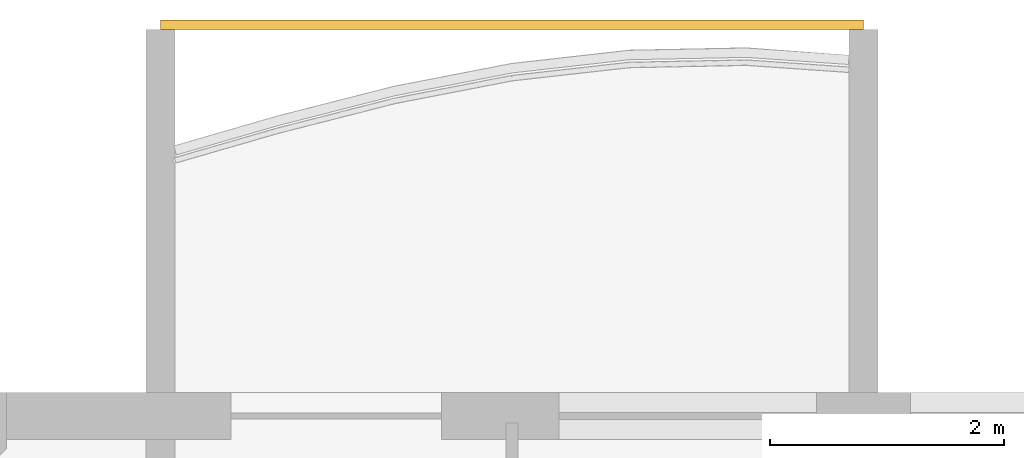
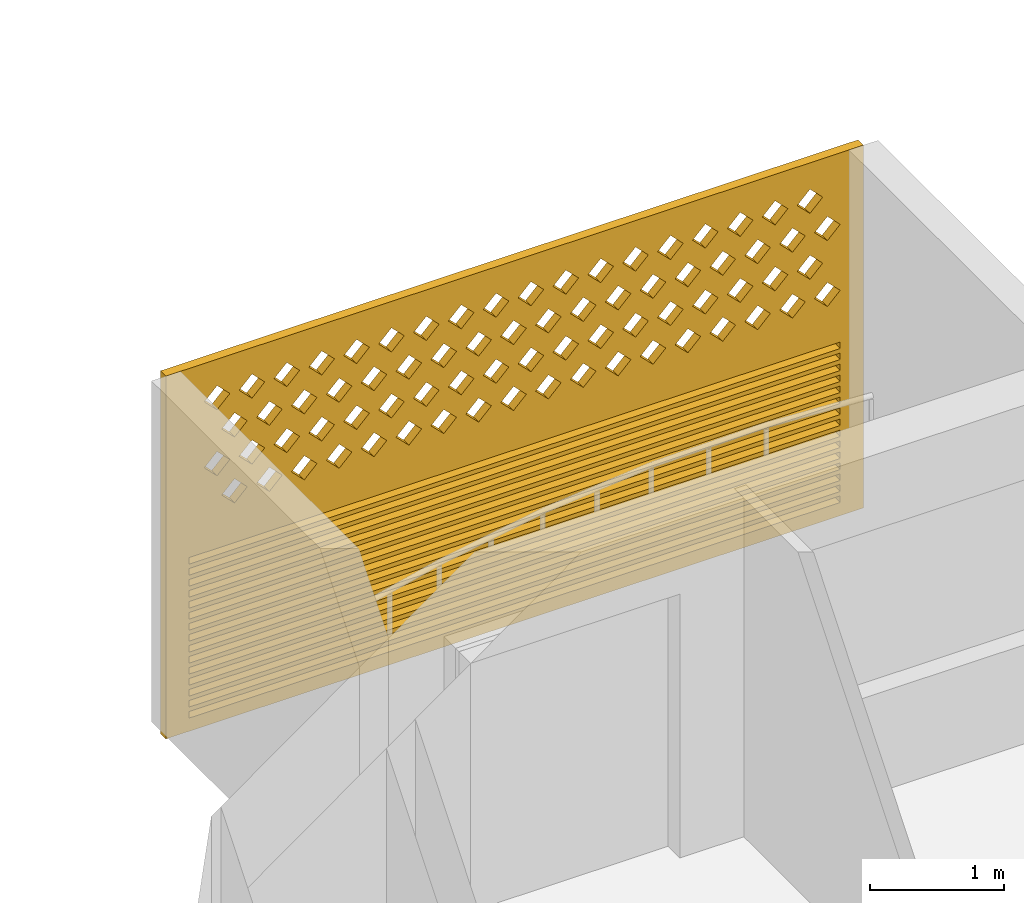
# One storey, part 17 of 29: 1 covering.
"""IFC4 building model written with IfcOpenShell, lengths in metres."""

from ifc_helpers import new_model, si_unit, direction, frame, origin, place, context, subcontext, project, spatial, polyline, outline, extrude, source, transform, mapped, material, material_profile, profile_set, type_object, element, save


model = new_model("IFC4")

# Units and contexts
model_context = context("Model", 3, precision=1e-05, world=origin(), true_north=direction((0.0, 1.0)))
body_context = subcontext(model_context, "Body", "Model", "MODEL_VIEW")
ifc_project = project(units=[si_unit("LENGTHUNIT", "METRE"), si_unit("AREAUNIT", "SQUARE_METRE"), si_unit("VOLUMEUNIT", "CUBIC_METRE"), si_unit("PLANEANGLEUNIT", "RADIAN"), si_unit("MASSUNIT", "GRAM", prefix="KILO")], contexts=[model_context])

# Site, building, storey
site_placement = place(None, origin())
site = spatial("IfcSite", under=ifc_project, at=site_placement, CompositionType="ELEMENT")
building_placement = place(site_placement, origin())
building = spatial("IfcBuilding", under=site, at=building_placement, Name="Poui Terraces", CompositionType="ELEMENT")
storey_placement = place(building_placement, frame((0.0, 0.0, 234.60009765625)))
storey = spatial("IfcBuildingStorey", under=building, at=storey_placement, Name="L65", CompositionType="ELEMENT", Elevation=234.60009765625)

# Covering
ifc_material = material(Name="Terracotta screen", Category="masonry")
ifc_material_profile = material_profile(ifc_material, outline(polyline([(-3.0, -1.64990234375), (3.0, -1.64990234375), (3.0, 1.64990234375), (-3.0, 1.64990234375), (-3.0, -1.64990234375)]), holes=[polyline([(-2.800048828125, 0.39990234375), (-2.68994140625, 0.2900390625), (-2.580078125, 0.39990234375), (-2.68994140625, 0.510009765625), (-2.800048828125, 0.39990234375)]), polyline([(-2.5, 0.39990234375), (-2.389892578125, 0.2900390625), (-2.280029296875, 0.39990234375), (-2.389892578125, 0.510009765625), (-2.5, 0.39990234375)]), polyline([(-2.199951171875, 0.39990234375), (-2.090087890625, 0.2900390625), (-1.97998046875, 0.39990234375), (-2.090087890625, 0.510009765625), (-2.199951171875, 0.39990234375)]), polyline([(-1.89990234375, 0.39990234375), (-1.7900390625, 0.2900390625), (-1.679931640625, 0.39990234375), (-1.7900390625, 0.510009765625), (-1.89990234375, 0.39990234375)]), polyline([(-1.60009765625, 0.39990234375), (-1.489990234375, 0.2900390625), (-1.3798828125, 0.39990234375), (-1.489990234375, 0.510009765625), (-1.60009765625, 0.39990234375)]), polyline([(-1.300048828125, 0.39990234375), (-1.18994140625, 0.2900390625), (-1.080078125, 0.39990234375), (-1.18994140625, 0.510009765625), (-1.300048828125, 0.39990234375)]), polyline([(-1.0, 0.39990234375), (-0.889892578125, 0.2900390625), (-0.780029296875, 0.39990234375), (-0.889892578125, 0.510009765625), (-1.0, 0.39990234375)]), polyline([(-0.699951171875, 0.39990234375), (-0.590087890625, 0.2900390625), (-0.47998046875, 0.39990234375), (-0.590087890625, 0.510009765625), (-0.699951171875, 0.39990234375)]), polyline([(-0.39990234375, 0.39990234375), (-0.2900390625, 0.2900390625), (-0.179931640625, 0.39990234375), (-0.2900390625, 0.510009765625), (-0.39990234375, 0.39990234375)]), polyline([(-0.10009765625, 0.39990234375), (0.010009765625, 0.2900390625), (0.1201171875, 0.39990234375), (0.010009765625, 0.510009765625), (-0.10009765625, 0.39990234375)]), polyline([(0.199951171875, 0.39990234375), (0.31005859375, 0.2900390625), (0.419921875, 0.39990234375), (0.31005859375, 0.510009765625), (0.199951171875, 0.39990234375)]), polyline([(0.5, 0.39990234375), (0.610107421875, 0.2900390625), (0.719970703125, 0.39990234375), (0.610107421875, 0.510009765625), (0.5, 0.39990234375)]), polyline([(0.800048828125, 0.39990234375), (0.909912109375, 0.2900390625), (1.02001953125, 0.39990234375), (0.909912109375, 0.510009765625), (0.800048828125, 0.39990234375)]), polyline([(1.10009765625, 0.39990234375), (1.2099609375, 0.2900390625), (1.320068359375, 0.39990234375), (1.2099609375, 0.510009765625), (1.10009765625, 0.39990234375)]), polyline([(1.39990234375, 0.39990234375), (1.510009765625, 0.2900390625), (1.6201171875, 0.39990234375), (1.510009765625, 0.510009765625), (1.39990234375, 0.39990234375)]), polyline([(1.699951171875, 0.39990234375), (1.81005859375, 0.2900390625), (1.919921875, 0.39990234375), (1.81005859375, 0.510009765625), (1.699951171875, 0.39990234375)]), polyline([(2.0, 0.39990234375), (2.110107421875, 0.2900390625), (2.219970703125, 0.39990234375), (2.110107421875, 0.510009765625), (2.0, 0.39990234375)]), polyline([(2.300048828125, 0.39990234375), (2.409912109375, 0.2900390625), (2.52001953125, 0.39990234375), (2.409912109375, 0.510009765625), (2.300048828125, 0.39990234375)]), polyline([(-2.64990234375, 0.699951171875), (-2.5400390625, 0.590087890625), (-2.429931640625, 0.699951171875), (-2.5400390625, 0.81005859375), (-2.64990234375, 0.699951171875)]), polyline([(-2.35009765625, 0.699951171875), (-2.239990234375, 0.590087890625), (-2.1298828125, 0.699951171875), (-2.239990234375, 0.81005859375), (-2.35009765625, 0.699951171875)]), polyline([(-2.050048828125, 0.699951171875), (-1.93994140625, 0.590087890625), (-1.830078125, 0.699951171875), (-1.93994140625, 0.81005859375), (-2.050048828125, 0.699951171875)]), polyline([(-1.75, 0.699951171875), (-1.639892578125, 0.590087890625), (-1.530029296875, 0.699951171875), (-1.639892578125, 0.81005859375), (-1.75, 0.699951171875)]), polyline([(-1.449951171875, 0.699951171875), (-1.340087890625, 0.590087890625), (-1.22998046875, 0.699951171875), (-1.340087890625, 0.81005859375), (-1.449951171875, 0.699951171875)]), polyline([(-1.14990234375, 0.699951171875), (-1.0400390625, 0.590087890625), (-0.929931640625, 0.699951171875), (-1.0400390625, 0.81005859375), (-1.14990234375, 0.699951171875)]), polyline([(-0.85009765625, 0.699951171875), (-0.739990234375, 0.590087890625), (-0.6298828125, 0.699951171875), (-0.739990234375, 0.81005859375), (-0.85009765625, 0.699951171875)]), polyline([(-0.550048828125, 0.699951171875), (-0.43994140625, 0.590087890625), (-0.330078125, 0.699951171875), (-0.43994140625, 0.81005859375), (-0.550048828125, 0.699951171875)]), polyline([(-0.25, 0.699951171875), (-0.139892578125, 0.590087890625), (-0.030029296875, 0.699951171875), (-0.139892578125, 0.81005859375), (-0.25, 0.699951171875)]), polyline([(0.050048828125, 0.699951171875), (0.159912109375, 0.590087890625), (0.27001953125, 0.699951171875), (0.159912109375, 0.81005859375), (0.050048828125, 0.699951171875)]), polyline([(0.35009765625, 0.699951171875), (0.4599609375, 0.590087890625), (0.570068359375, 0.699951171875), (0.4599609375, 0.81005859375), (0.35009765625, 0.699951171875)]), polyline([(0.64990234375, 0.699951171875), (0.760009765625, 0.590087890625), (0.8701171875, 0.699951171875), (0.760009765625, 0.81005859375), (0.64990234375, 0.699951171875)]), polyline([(0.949951171875, 0.699951171875), (1.06005859375, 0.590087890625), (1.169921875, 0.699951171875), (1.06005859375, 0.81005859375), (0.949951171875, 0.699951171875)]), polyline([(1.25, 0.699951171875), (1.360107421875, 0.590087890625), (1.469970703125, 0.699951171875), (1.360107421875, 0.81005859375), (1.25, 0.699951171875)]), polyline([(1.550048828125, 0.699951171875), (1.659912109375, 0.590087890625), (1.77001953125, 0.699951171875), (1.659912109375, 0.81005859375), (1.550048828125, 0.699951171875)]), polyline([(1.85009765625, 0.699951171875), (1.9599609375, 0.590087890625), (2.070068359375, 0.699951171875), (1.9599609375, 0.81005859375), (1.85009765625, 0.699951171875)]), polyline([(2.14990234375, 0.699951171875), (2.260009765625, 0.590087890625), (2.3701171875, 0.699951171875), (2.260009765625, 0.81005859375), (2.14990234375, 0.699951171875)]), polyline([(2.449951171875, 0.699951171875), (2.56005859375, 0.590087890625), (2.669921875, 0.699951171875), (2.56005859375, 0.81005859375), (2.449951171875, 0.699951171875)]), polyline([(-2.800048828125, 1.0), (-2.68994140625, 0.889892578125), (-2.580078125, 1.0), (-2.68994140625, 1.110107421875), (-2.800048828125, 1.0)]), polyline([(-2.5, 1.0), (-2.389892578125, 0.889892578125), (-2.280029296875, 1.0), (-2.389892578125, 1.110107421875), (-2.5, 1.0)]), polyline([(-2.199951171875, 1.0), (-2.090087890625, 0.889892578125), (-1.97998046875, 1.0), (-2.090087890625, 1.110107421875), (-2.199951171875, 1.0)]), polyline([(-1.89990234375, 1.0), (-1.7900390625, 0.889892578125), (-1.679931640625, 1.0), (-1.7900390625, 1.110107421875), (-1.89990234375, 1.0)]), polyline([(-1.60009765625, 1.0), (-1.489990234375, 0.889892578125), (-1.3798828125, 1.0), (-1.489990234375, 1.110107421875), (-1.60009765625, 1.0)]), polyline([(-1.300048828125, 1.0), (-1.18994140625, 0.889892578125), (-1.080078125, 1.0), (-1.18994140625, 1.110107421875), (-1.300048828125, 1.0)]), polyline([(-1.0, 1.0), (-0.889892578125, 0.889892578125), (-0.780029296875, 1.0), (-0.889892578125, 1.110107421875), (-1.0, 1.0)]), polyline([(-0.699951171875, 1.0), (-0.590087890625, 0.889892578125), (-0.47998046875, 1.0), (-0.590087890625, 1.110107421875), (-0.699951171875, 1.0)]), polyline([(-0.39990234375, 1.0), (-0.2900390625, 0.889892578125), (-0.179931640625, 1.0), (-0.2900390625, 1.110107421875), (-0.39990234375, 1.0)]), polyline([(-0.10009765625, 1.0), (0.010009765625, 0.889892578125), (0.1201171875, 1.0), (0.010009765625, 1.110107421875), (-0.10009765625, 1.0)]), polyline([(0.199951171875, 1.0), (0.31005859375, 0.889892578125), (0.419921875, 1.0), (0.31005859375, 1.110107421875), (0.199951171875, 1.0)]), polyline([(0.5, 1.0), (0.610107421875, 0.889892578125), (0.719970703125, 1.0), (0.610107421875, 1.110107421875), (0.5, 1.0)]), polyline([(0.800048828125, 1.0), (0.909912109375, 0.889892578125), (1.02001953125, 1.0), (0.909912109375, 1.110107421875), (0.800048828125, 1.0)]), polyline([(1.10009765625, 1.0), (1.2099609375, 0.889892578125), (1.320068359375, 1.0), (1.2099609375, 1.110107421875), (1.10009765625, 1.0)]), polyline([(1.39990234375, 1.0), (1.510009765625, 0.889892578125), (1.6201171875, 1.0), (1.510009765625, 1.110107421875), (1.39990234375, 1.0)]), polyline([(1.699951171875, 1.0), (1.81005859375, 0.889892578125), (1.919921875, 1.0), (1.81005859375, 1.110107421875), (1.699951171875, 1.0)]), polyline([(2.0, 1.0), (2.110107421875, 0.889892578125), (2.219970703125, 1.0), (2.110107421875, 1.110107421875), (2.0, 1.0)]), polyline([(2.300048828125, 1.0), (2.409912109375, 0.889892578125), (2.52001953125, 1.0), (2.409912109375, 1.110107421875), (2.300048828125, 1.0)]), polyline([(-2.64990234375, 1.300048828125), (-2.5400390625, 1.18994140625), (-2.429931640625, 1.300048828125), (-2.5400390625, 1.409912109375), (-2.64990234375, 1.300048828125)]), polyline([(-2.35009765625, 1.300048828125), (-2.239990234375, 1.18994140625), (-2.1298828125, 1.300048828125), (-2.239990234375, 1.409912109375), (-2.35009765625, 1.300048828125)]), polyline([(-2.050048828125, 1.300048828125), (-1.93994140625, 1.18994140625), (-1.830078125, 1.300048828125), (-1.93994140625, 1.409912109375), (-2.050048828125, 1.300048828125)]), polyline([(-1.75, 1.300048828125), (-1.639892578125, 1.18994140625), (-1.530029296875, 1.300048828125), (-1.639892578125, 1.409912109375), (-1.75, 1.300048828125)]), polyline([(-1.449951171875, 1.300048828125), (-1.340087890625, 1.18994140625), (-1.22998046875, 1.300048828125), (-1.340087890625, 1.409912109375), (-1.449951171875, 1.300048828125)]), polyline([(-1.14990234375, 1.300048828125), (-1.0400390625, 1.18994140625), (-0.929931640625, 1.300048828125), (-1.0400390625, 1.409912109375), (-1.14990234375, 1.300048828125)]), polyline([(-0.85009765625, 1.300048828125), (-0.739990234375, 1.18994140625), (-0.6298828125, 1.300048828125), (-0.739990234375, 1.409912109375), (-0.85009765625, 1.300048828125)]), polyline([(-0.550048828125, 1.300048828125), (-0.43994140625, 1.18994140625), (-0.330078125, 1.300048828125), (-0.43994140625, 1.409912109375), (-0.550048828125, 1.300048828125)]), polyline([(-0.25, 1.300048828125), (-0.139892578125, 1.18994140625), (-0.030029296875, 1.300048828125), (-0.139892578125, 1.409912109375), (-0.25, 1.300048828125)]), polyline([(0.050048828125, 1.300048828125), (0.159912109375, 1.18994140625), (0.27001953125, 1.300048828125), (0.159912109375, 1.409912109375), (0.050048828125, 1.300048828125)]), polyline([(0.35009765625, 1.300048828125), (0.4599609375, 1.18994140625), (0.570068359375, 1.300048828125), (0.4599609375, 1.409912109375), (0.35009765625, 1.300048828125)]), polyline([(0.64990234375, 1.300048828125), (0.760009765625, 1.18994140625), (0.8701171875, 1.300048828125), (0.760009765625, 1.409912109375), (0.64990234375, 1.300048828125)]), polyline([(0.949951171875, 1.300048828125), (1.06005859375, 1.18994140625), (1.169921875, 1.300048828125), (1.06005859375, 1.409912109375), (0.949951171875, 1.300048828125)]), polyline([(1.25, 1.300048828125), (1.360107421875, 1.18994140625), (1.469970703125, 1.300048828125), (1.360107421875, 1.409912109375), (1.25, 1.300048828125)]), polyline([(1.550048828125, 1.300048828125), (1.659912109375, 1.18994140625), (1.77001953125, 1.300048828125), (1.659912109375, 1.409912109375), (1.550048828125, 1.300048828125)]), polyline([(1.85009765625, 1.300048828125), (1.9599609375, 1.18994140625), (2.070068359375, 1.300048828125), (1.9599609375, 1.409912109375), (1.85009765625, 1.300048828125)]), polyline([(2.14990234375, 1.300048828125), (2.260009765625, 1.18994140625), (2.3701171875, 1.300048828125), (2.260009765625, 1.409912109375), (2.14990234375, 1.300048828125)]), polyline([(2.449951171875, 1.300048828125), (2.56005859375, 1.18994140625), (2.669921875, 1.300048828125), (2.56005859375, 1.409912109375), (2.449951171875, 1.300048828125)]), polyline([(-2.800048828125, -1.530029296875), (2.800048828125, -1.530029296875), (2.800048828125, -1.469970703125), (-2.800048828125, -1.469970703125), (-2.800048828125, -1.530029296875)]), polyline([(-2.800048828125, -1.429931640625), (2.800048828125, -1.429931640625), (2.800048828125, -1.3701171875), (-2.800048828125, -1.3701171875), (-2.800048828125, -1.429931640625)]), polyline([(-2.800048828125, -1.330078125), (2.800048828125, -1.330078125), (2.800048828125, -1.27001953125), (-2.800048828125, -1.27001953125), (-2.800048828125, -1.330078125)]), polyline([(-2.800048828125, -1.22998046875), (2.800048828125, -1.22998046875), (2.800048828125, -1.169921875), (-2.800048828125, -1.169921875), (-2.800048828125, -1.22998046875)]), polyline([(-2.800048828125, -1.1298828125), (2.800048828125, -1.1298828125), (2.800048828125, -1.070068359375), (-2.800048828125, -1.070068359375), (-2.800048828125, -1.1298828125)]), polyline([(-2.800048828125, -1.030029296875), (2.800048828125, -1.030029296875), (2.800048828125, -0.969970703125), (-2.800048828125, -0.969970703125), (-2.800048828125, -1.030029296875)]), polyline([(-2.800048828125, -0.929931640625), (2.800048828125, -0.929931640625), (2.800048828125, -0.8701171875), (-2.800048828125, -0.8701171875), (-2.800048828125, -0.929931640625)]), polyline([(-2.800048828125, -0.830078125), (2.800048828125, -0.830078125), (2.800048828125, -0.77001953125), (-2.800048828125, -0.77001953125), (-2.800048828125, -0.830078125)]), polyline([(-2.800048828125, -0.72998046875), (2.800048828125, -0.72998046875), (2.800048828125, -0.669921875), (-2.800048828125, -0.669921875), (-2.800048828125, -0.72998046875)]), polyline([(-2.800048828125, -0.6298828125), (2.800048828125, -0.6298828125), (2.800048828125, -0.570068359375), (-2.800048828125, -0.570068359375), (-2.800048828125, -0.6298828125)]), polyline([(-2.800048828125, -0.530029296875), (2.800048828125, -0.530029296875), (2.800048828125, -0.469970703125), (-2.800048828125, -0.469970703125), (-2.800048828125, -0.530029296875)]), polyline([(-2.800048828125, -0.429931640625), (2.800048828125, -0.429931640625), (2.800048828125, -0.3701171875), (-2.800048828125, -0.3701171875), (-2.800048828125, -0.429931640625)]), polyline([(-2.800048828125, -0.330078125), (2.800048828125, -0.330078125), (2.800048828125, -0.27001953125), (-2.800048828125, -0.27001953125), (-2.800048828125, -0.330078125)]), polyline([(-2.800048828125, -0.22998046875), (2.800048828125, -0.22998046875), (2.800048828125, -0.169921875), (-2.800048828125, -0.169921875), (-2.800048828125, -0.22998046875)]), polyline([(-2.800048828125, -0.1298828125), (2.800048828125, -0.1298828125), (2.800048828125, -0.070068359375), (-2.800048828125, -0.070068359375), (-2.800048828125, -0.1298828125)])]), Name="TERRACOTTA SCREEN AND JALOUSIE LOUVRE 6000X3300")
ifc_profile_set = profile_set([ifc_material_profile], Name="Terracotta screen")
covering_type = type_object("IfcCoveringType", Name="TERRACOTTA SCREEN AND JALOUSIE LOUVRE 6000X3300", PredefinedType="CLADDING", material=ifc_profile_set)
shared_shape = source(origin(), body_context, "Body", "SweptSolid", [
    extrude(outline(polyline([(-3.0, -1.64990234375), (3.0, -1.64990234375), (3.0, 1.64990234375), (-3.0, 1.64990234375), (-3.0, -1.64990234375)]), holes=[polyline([(-2.800048828125, 0.39990234375), (-2.68994140625, 0.2900390625), (-2.580078125, 0.39990234375), (-2.68994140625, 0.510009765625), (-2.800048828125, 0.39990234375)]), polyline([(-2.5, 0.39990234375), (-2.389892578125, 0.2900390625), (-2.280029296875, 0.39990234375), (-2.389892578125, 0.510009765625), (-2.5, 0.39990234375)]), polyline([(-2.199951171875, 0.39990234375), (-2.090087890625, 0.2900390625), (-1.97998046875, 0.39990234375), (-2.090087890625, 0.510009765625), (-2.199951171875, 0.39990234375)]), polyline([(-1.89990234375, 0.39990234375), (-1.7900390625, 0.2900390625), (-1.679931640625, 0.39990234375), (-1.7900390625, 0.510009765625), (-1.89990234375, 0.39990234375)]), polyline([(-1.60009765625, 0.39990234375), (-1.489990234375, 0.2900390625), (-1.3798828125, 0.39990234375), (-1.489990234375, 0.510009765625), (-1.60009765625, 0.39990234375)]), polyline([(-1.300048828125, 0.39990234375), (-1.18994140625, 0.2900390625), (-1.080078125, 0.39990234375), (-1.18994140625, 0.510009765625), (-1.300048828125, 0.39990234375)]), polyline([(-1.0, 0.39990234375), (-0.889892578125, 0.2900390625), (-0.780029296875, 0.39990234375), (-0.889892578125, 0.510009765625), (-1.0, 0.39990234375)]), polyline([(-0.699951171875, 0.39990234375), (-0.590087890625, 0.2900390625), (-0.47998046875, 0.39990234375), (-0.590087890625, 0.510009765625), (-0.699951171875, 0.39990234375)]), polyline([(-0.39990234375, 0.39990234375), (-0.2900390625, 0.2900390625), (-0.179931640625, 0.39990234375), (-0.2900390625, 0.510009765625), (-0.39990234375, 0.39990234375)]), polyline([(-0.10009765625, 0.39990234375), (0.010009765625, 0.2900390625), (0.1201171875, 0.39990234375), (0.010009765625, 0.510009765625), (-0.10009765625, 0.39990234375)]), polyline([(0.199951171875, 0.39990234375), (0.31005859375, 0.2900390625), (0.419921875, 0.39990234375), (0.31005859375, 0.510009765625), (0.199951171875, 0.39990234375)]), polyline([(0.5, 0.39990234375), (0.610107421875, 0.2900390625), (0.719970703125, 0.39990234375), (0.610107421875, 0.510009765625), (0.5, 0.39990234375)]), polyline([(0.800048828125, 0.39990234375), (0.909912109375, 0.2900390625), (1.02001953125, 0.39990234375), (0.909912109375, 0.510009765625), (0.800048828125, 0.39990234375)]), polyline([(1.10009765625, 0.39990234375), (1.2099609375, 0.2900390625), (1.320068359375, 0.39990234375), (1.2099609375, 0.510009765625), (1.10009765625, 0.39990234375)]), polyline([(1.39990234375, 0.39990234375), (1.510009765625, 0.2900390625), (1.6201171875, 0.39990234375), (1.510009765625, 0.510009765625), (1.39990234375, 0.39990234375)]), polyline([(1.699951171875, 0.39990234375), (1.81005859375, 0.2900390625), (1.919921875, 0.39990234375), (1.81005859375, 0.510009765625), (1.699951171875, 0.39990234375)]), polyline([(2.0, 0.39990234375), (2.110107421875, 0.2900390625), (2.219970703125, 0.39990234375), (2.110107421875, 0.510009765625), (2.0, 0.39990234375)]), polyline([(2.300048828125, 0.39990234375), (2.409912109375, 0.2900390625), (2.52001953125, 0.39990234375), (2.409912109375, 0.510009765625), (2.300048828125, 0.39990234375)]), polyline([(-2.64990234375, 0.699951171875), (-2.5400390625, 0.590087890625), (-2.429931640625, 0.699951171875), (-2.5400390625, 0.81005859375), (-2.64990234375, 0.699951171875)]), polyline([(-2.35009765625, 0.699951171875), (-2.239990234375, 0.590087890625), (-2.1298828125, 0.699951171875), (-2.239990234375, 0.81005859375), (-2.35009765625, 0.699951171875)]), polyline([(-2.050048828125, 0.699951171875), (-1.93994140625, 0.590087890625), (-1.830078125, 0.699951171875), (-1.93994140625, 0.81005859375), (-2.050048828125, 0.699951171875)]), polyline([(-1.75, 0.699951171875), (-1.639892578125, 0.590087890625), (-1.530029296875, 0.699951171875), (-1.639892578125, 0.81005859375), (-1.75, 0.699951171875)]), polyline([(-1.449951171875, 0.699951171875), (-1.340087890625, 0.590087890625), (-1.22998046875, 0.699951171875), (-1.340087890625, 0.81005859375), (-1.449951171875, 0.699951171875)]), polyline([(-1.14990234375, 0.699951171875), (-1.0400390625, 0.590087890625), (-0.929931640625, 0.699951171875), (-1.0400390625, 0.81005859375), (-1.14990234375, 0.699951171875)]), polyline([(-0.85009765625, 0.699951171875), (-0.739990234375, 0.590087890625), (-0.6298828125, 0.699951171875), (-0.739990234375, 0.81005859375), (-0.85009765625, 0.699951171875)]), polyline([(-0.550048828125, 0.699951171875), (-0.43994140625, 0.590087890625), (-0.330078125, 0.699951171875), (-0.43994140625, 0.81005859375), (-0.550048828125, 0.699951171875)]), polyline([(-0.25, 0.699951171875), (-0.139892578125, 0.590087890625), (-0.030029296875, 0.699951171875), (-0.139892578125, 0.81005859375), (-0.25, 0.699951171875)]), polyline([(0.050048828125, 0.699951171875), (0.159912109375, 0.590087890625), (0.27001953125, 0.699951171875), (0.159912109375, 0.81005859375), (0.050048828125, 0.699951171875)]), polyline([(0.35009765625, 0.699951171875), (0.4599609375, 0.590087890625), (0.570068359375, 0.699951171875), (0.4599609375, 0.81005859375), (0.35009765625, 0.699951171875)]), polyline([(0.64990234375, 0.699951171875), (0.760009765625, 0.590087890625), (0.8701171875, 0.699951171875), (0.760009765625, 0.81005859375), (0.64990234375, 0.699951171875)]), polyline([(0.949951171875, 0.699951171875), (1.06005859375, 0.590087890625), (1.169921875, 0.699951171875), (1.06005859375, 0.81005859375), (0.949951171875, 0.699951171875)]), polyline([(1.25, 0.699951171875), (1.360107421875, 0.590087890625), (1.469970703125, 0.699951171875), (1.360107421875, 0.81005859375), (1.25, 0.699951171875)]), polyline([(1.550048828125, 0.699951171875), (1.659912109375, 0.590087890625), (1.77001953125, 0.699951171875), (1.659912109375, 0.81005859375), (1.550048828125, 0.699951171875)]), polyline([(1.85009765625, 0.699951171875), (1.9599609375, 0.590087890625), (2.070068359375, 0.699951171875), (1.9599609375, 0.81005859375), (1.85009765625, 0.699951171875)]), polyline([(2.14990234375, 0.699951171875), (2.260009765625, 0.590087890625), (2.3701171875, 0.699951171875), (2.260009765625, 0.81005859375), (2.14990234375, 0.699951171875)]), polyline([(2.449951171875, 0.699951171875), (2.56005859375, 0.590087890625), (2.669921875, 0.699951171875), (2.56005859375, 0.81005859375), (2.449951171875, 0.699951171875)]), polyline([(-2.800048828125, 1.0), (-2.68994140625, 0.889892578125), (-2.580078125, 1.0), (-2.68994140625, 1.110107421875), (-2.800048828125, 1.0)]), polyline([(-2.5, 1.0), (-2.389892578125, 0.889892578125), (-2.280029296875, 1.0), (-2.389892578125, 1.110107421875), (-2.5, 1.0)]), polyline([(-2.199951171875, 1.0), (-2.090087890625, 0.889892578125), (-1.97998046875, 1.0), (-2.090087890625, 1.110107421875), (-2.199951171875, 1.0)]), polyline([(-1.89990234375, 1.0), (-1.7900390625, 0.889892578125), (-1.679931640625, 1.0), (-1.7900390625, 1.110107421875), (-1.89990234375, 1.0)]), polyline([(-1.60009765625, 1.0), (-1.489990234375, 0.889892578125), (-1.3798828125, 1.0), (-1.489990234375, 1.110107421875), (-1.60009765625, 1.0)]), polyline([(-1.300048828125, 1.0), (-1.18994140625, 0.889892578125), (-1.080078125, 1.0), (-1.18994140625, 1.110107421875), (-1.300048828125, 1.0)]), polyline([(-1.0, 1.0), (-0.889892578125, 0.889892578125), (-0.780029296875, 1.0), (-0.889892578125, 1.110107421875), (-1.0, 1.0)]), polyline([(-0.699951171875, 1.0), (-0.590087890625, 0.889892578125), (-0.47998046875, 1.0), (-0.590087890625, 1.110107421875), (-0.699951171875, 1.0)]), polyline([(-0.39990234375, 1.0), (-0.2900390625, 0.889892578125), (-0.179931640625, 1.0), (-0.2900390625, 1.110107421875), (-0.39990234375, 1.0)]), polyline([(-0.10009765625, 1.0), (0.010009765625, 0.889892578125), (0.1201171875, 1.0), (0.010009765625, 1.110107421875), (-0.10009765625, 1.0)]), polyline([(0.199951171875, 1.0), (0.31005859375, 0.889892578125), (0.419921875, 1.0), (0.31005859375, 1.110107421875), (0.199951171875, 1.0)]), polyline([(0.5, 1.0), (0.610107421875, 0.889892578125), (0.719970703125, 1.0), (0.610107421875, 1.110107421875), (0.5, 1.0)]), polyline([(0.800048828125, 1.0), (0.909912109375, 0.889892578125), (1.02001953125, 1.0), (0.909912109375, 1.110107421875), (0.800048828125, 1.0)]), polyline([(1.10009765625, 1.0), (1.2099609375, 0.889892578125), (1.320068359375, 1.0), (1.2099609375, 1.110107421875), (1.10009765625, 1.0)]), polyline([(1.39990234375, 1.0), (1.510009765625, 0.889892578125), (1.6201171875, 1.0), (1.510009765625, 1.110107421875), (1.39990234375, 1.0)]), polyline([(1.699951171875, 1.0), (1.81005859375, 0.889892578125), (1.919921875, 1.0), (1.81005859375, 1.110107421875), (1.699951171875, 1.0)]), polyline([(2.0, 1.0), (2.110107421875, 0.889892578125), (2.219970703125, 1.0), (2.110107421875, 1.110107421875), (2.0, 1.0)]), polyline([(2.300048828125, 1.0), (2.409912109375, 0.889892578125), (2.52001953125, 1.0), (2.409912109375, 1.110107421875), (2.300048828125, 1.0)]), polyline([(-2.64990234375, 1.300048828125), (-2.5400390625, 1.18994140625), (-2.429931640625, 1.300048828125), (-2.5400390625, 1.409912109375), (-2.64990234375, 1.300048828125)]), polyline([(-2.35009765625, 1.300048828125), (-2.239990234375, 1.18994140625), (-2.1298828125, 1.300048828125), (-2.239990234375, 1.409912109375), (-2.35009765625, 1.300048828125)]), polyline([(-2.050048828125, 1.300048828125), (-1.93994140625, 1.18994140625), (-1.830078125, 1.300048828125), (-1.93994140625, 1.409912109375), (-2.050048828125, 1.300048828125)]), polyline([(-1.75, 1.300048828125), (-1.639892578125, 1.18994140625), (-1.530029296875, 1.300048828125), (-1.639892578125, 1.409912109375), (-1.75, 1.300048828125)]), polyline([(-1.449951171875, 1.300048828125), (-1.340087890625, 1.18994140625), (-1.22998046875, 1.300048828125), (-1.340087890625, 1.409912109375), (-1.449951171875, 1.300048828125)]), polyline([(-1.14990234375, 1.300048828125), (-1.0400390625, 1.18994140625), (-0.929931640625, 1.300048828125), (-1.0400390625, 1.409912109375), (-1.14990234375, 1.300048828125)]), polyline([(-0.85009765625, 1.300048828125), (-0.739990234375, 1.18994140625), (-0.6298828125, 1.300048828125), (-0.739990234375, 1.409912109375), (-0.85009765625, 1.300048828125)]), polyline([(-0.550048828125, 1.300048828125), (-0.43994140625, 1.18994140625), (-0.330078125, 1.300048828125), (-0.43994140625, 1.409912109375), (-0.550048828125, 1.300048828125)]), polyline([(-0.25, 1.300048828125), (-0.139892578125, 1.18994140625), (-0.030029296875, 1.300048828125), (-0.139892578125, 1.409912109375), (-0.25, 1.300048828125)]), polyline([(0.050048828125, 1.300048828125), (0.159912109375, 1.18994140625), (0.27001953125, 1.300048828125), (0.159912109375, 1.409912109375), (0.050048828125, 1.300048828125)]), polyline([(0.35009765625, 1.300048828125), (0.4599609375, 1.18994140625), (0.570068359375, 1.300048828125), (0.4599609375, 1.409912109375), (0.35009765625, 1.300048828125)]), polyline([(0.64990234375, 1.300048828125), (0.760009765625, 1.18994140625), (0.8701171875, 1.300048828125), (0.760009765625, 1.409912109375), (0.64990234375, 1.300048828125)]), polyline([(0.949951171875, 1.300048828125), (1.06005859375, 1.18994140625), (1.169921875, 1.300048828125), (1.06005859375, 1.409912109375), (0.949951171875, 1.300048828125)]), polyline([(1.25, 1.300048828125), (1.360107421875, 1.18994140625), (1.469970703125, 1.300048828125), (1.360107421875, 1.409912109375), (1.25, 1.300048828125)]), polyline([(1.550048828125, 1.300048828125), (1.659912109375, 1.18994140625), (1.77001953125, 1.300048828125), (1.659912109375, 1.409912109375), (1.550048828125, 1.300048828125)]), polyline([(1.85009765625, 1.300048828125), (1.9599609375, 1.18994140625), (2.070068359375, 1.300048828125), (1.9599609375, 1.409912109375), (1.85009765625, 1.300048828125)]), polyline([(2.14990234375, 1.300048828125), (2.260009765625, 1.18994140625), (2.3701171875, 1.300048828125), (2.260009765625, 1.409912109375), (2.14990234375, 1.300048828125)]), polyline([(2.449951171875, 1.300048828125), (2.56005859375, 1.18994140625), (2.669921875, 1.300048828125), (2.56005859375, 1.409912109375), (2.449951171875, 1.300048828125)]), polyline([(-2.800048828125, -1.530029296875), (2.800048828125, -1.530029296875), (2.800048828125, -1.469970703125), (-2.800048828125, -1.469970703125), (-2.800048828125, -1.530029296875)]), polyline([(-2.800048828125, -1.429931640625), (2.800048828125, -1.429931640625), (2.800048828125, -1.3701171875), (-2.800048828125, -1.3701171875), (-2.800048828125, -1.429931640625)]), polyline([(-2.800048828125, -1.330078125), (2.800048828125, -1.330078125), (2.800048828125, -1.27001953125), (-2.800048828125, -1.27001953125), (-2.800048828125, -1.330078125)]), polyline([(-2.800048828125, -1.22998046875), (2.800048828125, -1.22998046875), (2.800048828125, -1.169921875), (-2.800048828125, -1.169921875), (-2.800048828125, -1.22998046875)]), polyline([(-2.800048828125, -1.1298828125), (2.800048828125, -1.1298828125), (2.800048828125, -1.070068359375), (-2.800048828125, -1.070068359375), (-2.800048828125, -1.1298828125)]), polyline([(-2.800048828125, -1.030029296875), (2.800048828125, -1.030029296875), (2.800048828125, -0.969970703125), (-2.800048828125, -0.969970703125), (-2.800048828125, -1.030029296875)]), polyline([(-2.800048828125, -0.929931640625), (2.800048828125, -0.929931640625), (2.800048828125, -0.8701171875), (-2.800048828125, -0.8701171875), (-2.800048828125, -0.929931640625)]), polyline([(-2.800048828125, -0.830078125), (2.800048828125, -0.830078125), (2.800048828125, -0.77001953125), (-2.800048828125, -0.77001953125), (-2.800048828125, -0.830078125)]), polyline([(-2.800048828125, -0.72998046875), (2.800048828125, -0.72998046875), (2.800048828125, -0.669921875), (-2.800048828125, -0.669921875), (-2.800048828125, -0.72998046875)]), polyline([(-2.800048828125, -0.6298828125), (2.800048828125, -0.6298828125), (2.800048828125, -0.570068359375), (-2.800048828125, -0.570068359375), (-2.800048828125, -0.6298828125)]), polyline([(-2.800048828125, -0.530029296875), (2.800048828125, -0.530029296875), (2.800048828125, -0.469970703125), (-2.800048828125, -0.469970703125), (-2.800048828125, -0.530029296875)]), polyline([(-2.800048828125, -0.429931640625), (2.800048828125, -0.429931640625), (2.800048828125, -0.3701171875), (-2.800048828125, -0.3701171875), (-2.800048828125, -0.429931640625)]), polyline([(-2.800048828125, -0.330078125), (2.800048828125, -0.330078125), (2.800048828125, -0.27001953125), (-2.800048828125, -0.27001953125), (-2.800048828125, -0.330078125)]), polyline([(-2.800048828125, -0.22998046875), (2.800048828125, -0.22998046875), (2.800048828125, -0.169921875), (-2.800048828125, -0.169921875), (-2.800048828125, -0.22998046875)]), polyline([(-2.800048828125, -0.1298828125), (2.800048828125, -0.1298828125), (2.800048828125, -0.070068359375), (-2.800048828125, -0.070068359375), (-2.800048828125, -0.1298828125)])]), origin(), (0.0, 0.0, 1.0), 0.080078125),
])
covering_placement = place(storey_placement, frame((27.0, 44.5, 1.449951171875), z_axis=(0.0, 1.0, 0.0), x_axis=(-1.0, 0.0, 0.0)))
element("IfcCovering", 1, at=covering_placement, inside=storey, type_object=covering_type, Name="SOLAR SCREEN AND JALOUSIE LOUVRE", PredefinedType="CLADDING", context=body_context, shape_type="MappedRepresentation", body=[
    mapped(shared_shape, transform((0.0, 0.0, 0.0))),
])

save(model, "model.ifc")
